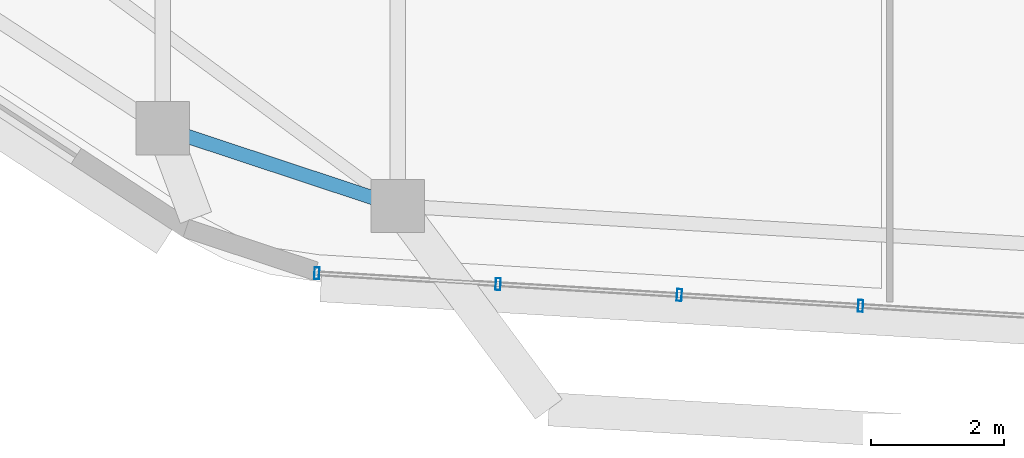
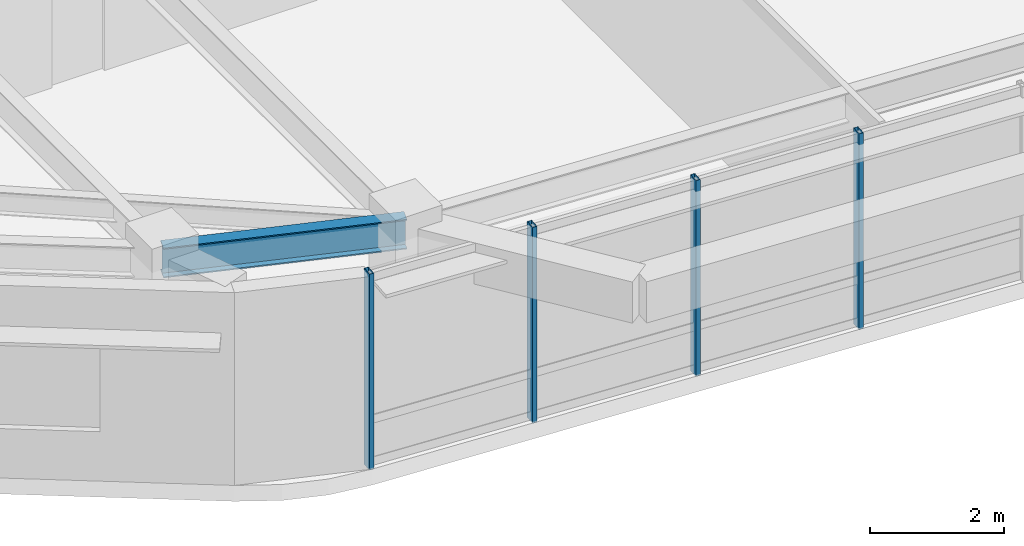
# One storey, part 2 of 12: 4 members, 1 beam, 1 element without a shape of its own.
"""IFC4 building model written with IfcOpenShell, lengths in metres."""

from ifc_helpers import new_model, si_unit, direction, frame, origin, origin_2d, place, context, subcontext, project, spatial, hollow_rectangle, i_section, extrude, material, material_profile, profile_set, type_object, element, aggregate, save


model = new_model("IFC4")

# Units and contexts
model_context = context("Model", 3, precision=1e-05, world=origin(), true_north=direction((0.0, 1.0)))
body_context = subcontext(model_context, "Body", "Model", "MODEL_VIEW")
ifc_project = project(units=[si_unit("LENGTHUNIT", "METRE"), si_unit("AREAUNIT", "SQUARE_METRE"), si_unit("VOLUMEUNIT", "CUBIC_METRE"), si_unit("PLANEANGLEUNIT", "RADIAN"), si_unit("MASSUNIT", "GRAM", prefix="KILO")], contexts=[model_context])

# Site, building, storey
site_placement = place(None, origin())
site = spatial("IfcSite", under=ifc_project, at=site_placement, CompositionType="ELEMENT")
building_placement = place(site_placement, origin())
building = spatial("IfcBuilding", under=site, at=building_placement, Name="Zulverin Broadcast Headquarters", CompositionType="ELEMENT")
storey_placement = place(building_placement, frame((0.0, 0.0, 232.60009765625)))
storey = spatial("IfcBuildingStorey", under=building, at=storey_placement, Name="L59", CompositionType="ELEMENT", Elevation=232.60009765625)

# Beam
ifc_material_1 = material(Name="Structural steel S355JR", Category="steel")
ifc_material_profile_1 = material_profile(ifc_material_1, i_section(OverallWidth=0.2119140625, OverallDepth=0.54443359375, WebThickness=0.0126953125, FlangeThickness=0.021240234375, at=origin_2d()), Name="Structural steel S355JR", Category="steel")
ifc_profile_set_1 = profile_set([ifc_material_profile_1], Name="Structural steel S355JR")
beam_type = type_object("IfcBeamType", Name="BM-UB-533", PredefinedType="SPANDREL", material=ifc_profile_set_1)
beam_placement = place(storey_placement, frame((26.098876953125, 4.9287109375, 3.237548828125), z_axis=(0.949437184981, -0.313957054031, 0.0), x_axis=(0.313957054031, 0.949437184981, 0.0)))
element("IfcBeam", 1, at=beam_placement, inside=storey, type_object=beam_type, Name="L59 Perimeter Spandrel Beam SP-16", PredefinedType="SPANDREL", context=body_context, shape_type="SweptSolid", body=[
    extrude(i_section(OverallWidth=0.2119140625, OverallDepth=0.54443359375, WebThickness=0.0126953125, FlangeThickness=0.021240234375, at=origin_2d()), origin(), (0.0, 0.0, 1.0), 3.7109375),
])

# Curtain wall, members
ifc_material_2 = material(Name="High-zone solar-control unitised curtain wall", Category="aluminium")
curtain_wall_type = type_object("IfcCurtainWallType", Name="CW-TWR-UPP", PredefinedType="USERDEFINED", material=ifc_material_2)
curtain_wall_placement = place(storey_placement, origin())
curtain_wall = element("IfcCurtainWall", 2, at=curtain_wall_placement, inside=storey, type_object=curtain_wall_type, Name="L59 Unitised Curtain Wall CW-L59-E1", ObjectType="UNITISED CURTAIN WALL", PredefinedType="USERDEFINED")
ifc_material_3 = material(Name="Anodized pale-metal aluminium alloy 6063-T6", Category="aluminium")
ifc_material_profile_2 = material_profile(ifc_material_3, hollow_rectangle(XDim=0.074951171875, YDim=0.179931640625, WallThickness=0.0048828125, at=origin_2d()), Name="Anodized pale-metal aluminium alloy 6063-T6", Category="aluminium")
ifc_profile_set_2 = profile_set([ifc_material_profile_2], Name="Anodized pale-metal aluminium alloy 6063-T6")
member_type = type_object("IfcMemberType", Name="CW-MUL-180", PredefinedType="MULLION", material=ifc_profile_set_2)
member_1_placement = place(storey_placement, frame((28.409423828125, 2.754638671875, -0.030029296875), z_axis=(0.0, 0.0, 1.0), x_axis=(0.998202681386, -0.059928347834, 0.0)))
member_1 = element("IfcMember", 3, at=member_1_placement, type_object=member_type, Name="CW-L59-E1 Mullion 00", PredefinedType="MULLION", context=body_context, shape_type="SweptSolid", body=[
    extrude(hollow_rectangle(XDim=0.074951171875, YDim=0.179931640625, WallThickness=0.0048828125, at=origin_2d()), origin(), (0.0, 0.0, 1.0), 3.56982421875),
])
member_2_placement = place(storey_placement, frame((31.127197265625, 2.59130859375, -0.030029296875), z_axis=(0.0, 0.0, 1.0), x_axis=(0.998202681386, -0.059928347834, 0.0)))
member_2 = element("IfcMember", 4, at=member_2_placement, type_object=member_type, Name="CW-L59-E1 Mullion 01", PredefinedType="MULLION", context=body_context, shape_type="SweptSolid", body=[
    extrude(hollow_rectangle(XDim=0.074951171875, YDim=0.179931640625, WallThickness=0.0048828125, at=origin_2d()), origin(), (0.0, 0.0, 1.0), 3.56982421875),
])
member_3_placement = place(storey_placement, frame((33.84521484375, 2.42822265625, -0.030029296875), z_axis=(0.0, 0.0, 1.0), x_axis=(0.998202681386, -0.059928347834, 0.0)))
member_3 = element("IfcMember", 5, at=member_3_placement, type_object=member_type, Name="CW-L59-E1 Mullion 02", PredefinedType="MULLION", context=body_context, shape_type="SweptSolid", body=[
    extrude(hollow_rectangle(XDim=0.074951171875, YDim=0.179931640625, WallThickness=0.0048828125, at=origin_2d()), origin(), (0.0, 0.0, 1.0), 3.56982421875),
])
member_4_placement = place(storey_placement, frame((36.56298828125, 2.26513671875, -0.030029296875), z_axis=(0.0, 0.0, 1.0), x_axis=(0.998202681386, -0.059928347834, 0.0)))
member_4 = element("IfcMember", 6, at=member_4_placement, type_object=member_type, Name="CW-L59-E1 Mullion 03", PredefinedType="MULLION", context=body_context, shape_type="SweptSolid", body=[
    extrude(hollow_rectangle(XDim=0.074951171875, YDim=0.179931640625, WallThickness=0.0048828125, at=origin_2d()), origin(), (0.0, 0.0, 1.0), 3.56982421875),
])
aggregate(curtain_wall, [member_1, member_2, member_3, member_4])

save(model, "model.ifc")
